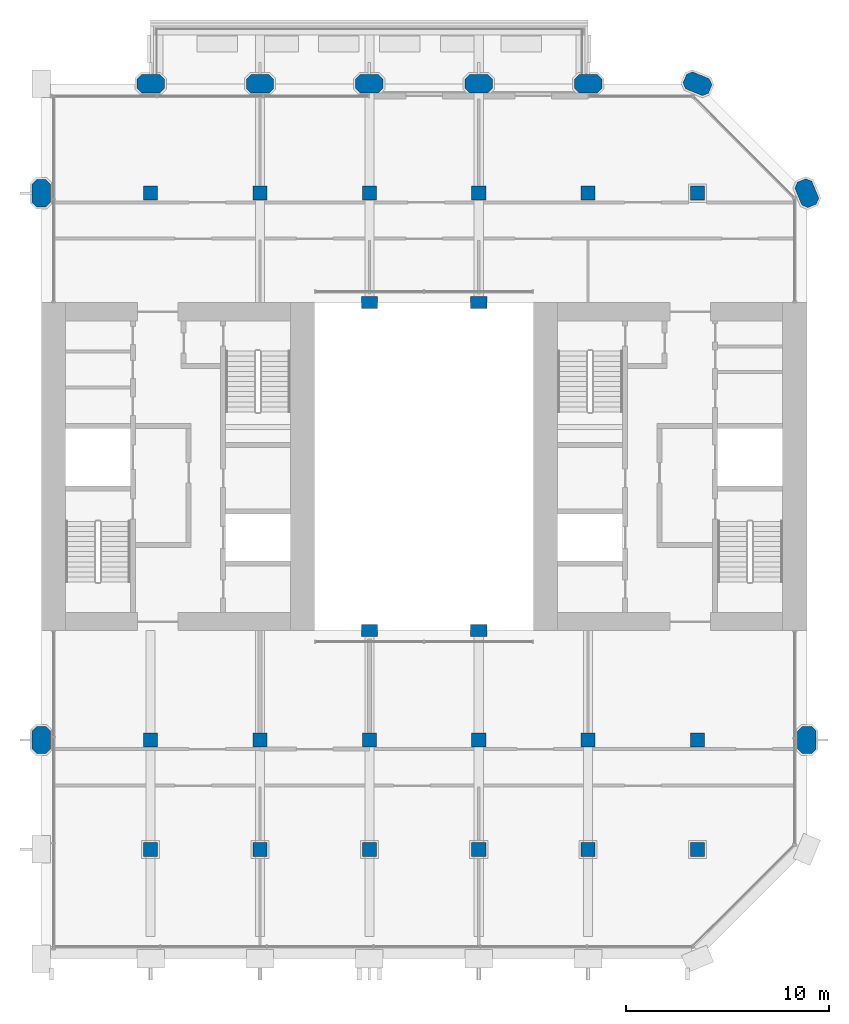
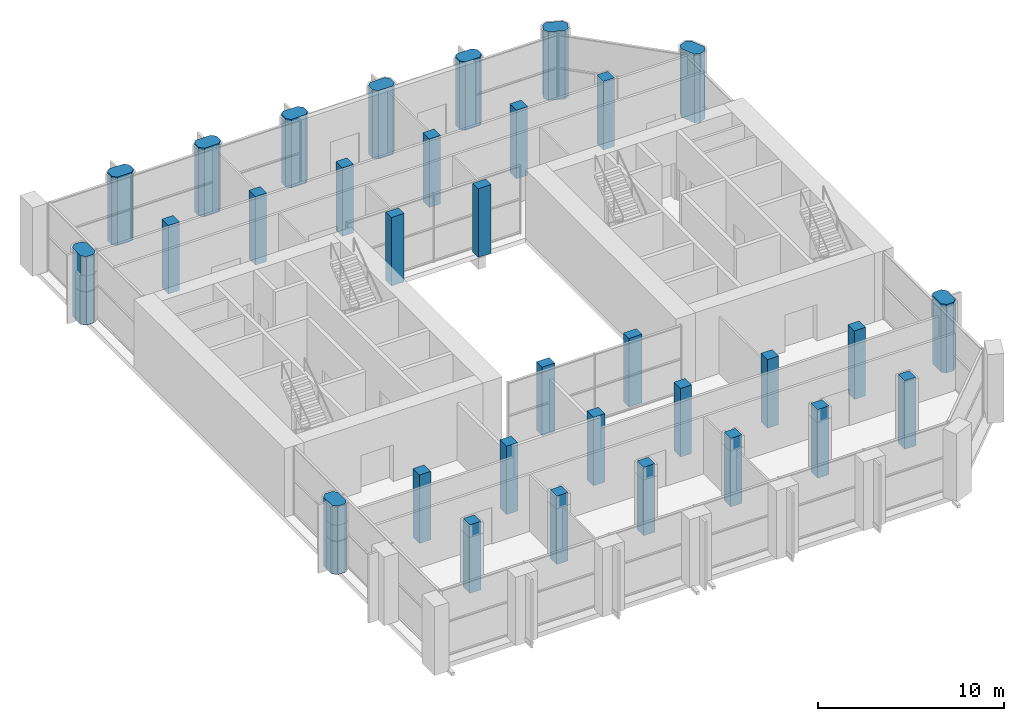
# One storey, part 1 of 13: 32 columns.
"""IFC4 building model written with IfcOpenShell, lengths in metres."""

from ifc_helpers import new_model, si_unit, direction, frame, origin, origin_2d, place, context, subcontext, project, spatial, polyline, rectangle, outline, extrude, material, material_profile, profile_set, type_object, element, save


model = new_model("IFC4")

# Units and contexts
model_context = context("Model", 3, precision=1e-05, world=origin(), true_north=direction((0.0, 1.0)))
body_context = subcontext(model_context, "Body", "Model", "MODEL_VIEW")
ifc_project = project(units=[si_unit("LENGTHUNIT", "METRE"), si_unit("AREAUNIT", "SQUARE_METRE"), si_unit("VOLUMEUNIT", "CUBIC_METRE"), si_unit("PLANEANGLEUNIT", "RADIAN"), si_unit("MASSUNIT", "GRAM", prefix="KILO")], contexts=[model_context])

# Site, building, storey
site_placement = place(None, origin())
site = spatial("IfcSite", under=ifc_project, at=site_placement, CompositionType="ELEMENT")
building_placement = place(site_placement, origin())
building = spatial("IfcBuilding", under=site, at=building_placement, Name="Tabaq Tower and Sports Hall", CompositionType="ELEMENT")
storey_placement = place(building_placement, frame((0.0, 0.0, 255.699951171875)))
storey = spatial("IfcBuildingStorey", under=building, at=storey_placement, Name="L62", CompositionType="ELEMENT", Elevation=255.699951171875)

# Columns
ifc_material_1 = material(Name="Concrete C40/50", Category="concrete")
ifc_material_profile_1 = material_profile(ifc_material_1, rectangle(XDim=0.800048828125, YDim=0.60009765625, at=origin_2d()), Name="ATRIUM COLUMN 800x600")
ifc_profile_set_1 = profile_set([ifc_material_profile_1], Name="Concrete C40/50")
column_type_1 = type_object("IfcColumnType", Name="RC COLUMN ATRIUM COLUMN 800x600 C40/50", PredefinedType="COLUMN", material=ifc_profile_set_1)
for number, where, z_axis, x_axis, name in (
    (1, (21.60009765625, 16.199951171875, 0.0), (0.0, 0.0, 1.0), (1.0, 0.0, 0.0), "Atrium Column 5/D L62"),
    (2, (27.0, 16.199951171875, 0.0), (0.0, 0.0, 1.0), (1.0, 0.0, 0.0), "Atrium Column 6/D L62"),
    (3, (21.60009765625, 32.39990234375, 0.0), (0.0, 0.0, 1.0), (1.0, 0.0, 0.0), "Atrium Column 5/G L62"),
    (4, (27.0, 32.39990234375, 0.0), (0.0, 0.0, 1.0), (1.0, 0.0, 0.0), "Atrium Column 6/G L62"),
):
    element("IfcColumn", number, at=place(storey_placement, frame(where, z_axis=z_axis, x_axis=x_axis)), inside=storey, type_object=column_type_1, Name=name, PredefinedType="COLUMN", context=body_context, shape_type="SweptSolid", body=[
        extrude(rectangle(XDim=0.800048828125, YDim=0.60009765625, at=origin_2d()), origin(), (0.0, 0.0, 1.0), 4.5),
    ])
ifc_material_2 = material(Name="Concrete C40/50", Category="concrete")
ifc_material_profile_2 = material_profile(ifc_material_2, rectangle(XDim=0.699951171875, YDim=0.699951171875, at=origin_2d()), Name="COLUMN 700x700")
ifc_profile_set_2 = profile_set([ifc_material_profile_2], Name="Concrete C40/50")
column_type_2 = type_object("IfcColumnType", Name="RC COLUMN COLUMN 700x700 C40/50", PredefinedType="COLUMN", material=ifc_profile_set_2)
for number, where, z_axis, x_axis, name in (
    (5, (10.800048828125, 5.39990234375, 0.0), (0.0, 0.0, 1.0), (1.0, 0.0, 0.0), "Column 3/B L62"),
    (6, (16.199951171875, 5.39990234375, 0.0), (0.0, 0.0, 1.0), (1.0, 0.0, 0.0), "Column 4/B L62"),
    (7, (21.60009765625, 5.39990234375, 0.0), (0.0, 0.0, 1.0), (1.0, 0.0, 0.0), "Column 5/B L62"),
    (8, (27.0, 5.39990234375, 0.0), (0.0, 0.0, 1.0), (1.0, 0.0, 0.0), "Column 6/B L62"),
    (9, (32.39990234375, 5.39990234375, 0.0), (0.0, 0.0, 1.0), (1.0, 0.0, 0.0), "Column 7/B L62"),
    (10, (37.800048828125, 5.39990234375, 0.0), (0.0, 0.0, 1.0), (1.0, 0.0, 0.0), "Column 8/B L62"),
    (11, (10.800048828125, 10.800048828125, 0.0), (0.0, 0.0, 1.0), (1.0, 0.0, 0.0), "Column 3/C L62"),
    (12, (16.199951171875, 10.800048828125, 0.0), (0.0, 0.0, 1.0), (1.0, 0.0, 0.0), "Column 4/C L62"),
    (13, (21.60009765625, 10.800048828125, 0.0), (0.0, 0.0, 1.0), (1.0, 0.0, 0.0), "Column 5/C L62"),
    (14, (27.0, 10.800048828125, 0.0), (0.0, 0.0, 1.0), (1.0, 0.0, 0.0), "Column 6/C L62"),
    (15, (32.39990234375, 10.800048828125, 0.0), (0.0, 0.0, 1.0), (1.0, 0.0, 0.0), "Column 7/C L62"),
    (16, (37.800048828125, 10.800048828125, 0.0), (0.0, 0.0, 1.0), (1.0, 0.0, 0.0), "Column 8/C L62"),
    (17, (10.800048828125, 37.800048828125, 0.0), (0.0, 0.0, 1.0), (1.0, 0.0, 0.0), "Column 3/H L62"),
    (18, (16.199951171875, 37.800048828125, 0.0), (0.0, 0.0, 1.0), (1.0, 0.0, 0.0), "Column 4/H L62"),
    (19, (21.60009765625, 37.800048828125, 0.0), (0.0, 0.0, 1.0), (1.0, 0.0, 0.0), "Column 5/H L62"),
    (20, (27.0, 37.800048828125, 0.0), (0.0, 0.0, 1.0), (1.0, 0.0, 0.0), "Column 6/H L62"),
    (21, (32.39990234375, 37.800048828125, 0.0), (0.0, 0.0, 1.0), (1.0, 0.0, 0.0), "Column 7/H L62"),
    (22, (37.800048828125, 37.800048828125, 0.0), (0.0, 0.0, 1.0), (1.0, 0.0, 0.0), "Column 8/H L62"),
):
    element("IfcColumn", number, at=place(storey_placement, frame(where, z_axis=z_axis, x_axis=x_axis)), inside=storey, type_object=column_type_2, Name=name, PredefinedType="COLUMN", context=body_context, shape_type="SweptSolid", body=[
        extrude(rectangle(XDim=0.699951171875, YDim=0.699951171875, at=origin_2d()), origin(), (0.0, 0.0, 1.0), 4.5),
    ])
ifc_material_3 = material(Name="Concrete C40/50", Category="concrete")
ifc_material_profile_3 = material_profile(ifc_material_3, outline(polyline([(-0.449951171875, -0.449951171875), (0.449951171875, -0.449951171875), (0.675048828125, -0.22509765625), (0.675048828125, 0.22509765625), (0.449951171875, 0.449951171875), (-0.449951171875, 0.449951171875), (-0.675048828125, 0.22509765625), (-0.675048828125, -0.22509765625), (-0.449951171875, -0.449951171875)])), Name="PIER 1350x900")
ifc_profile_set_3 = profile_set([ifc_material_profile_3], Name="Concrete C40/50")
column_type_3 = type_object("IfcColumnType", Name="RC COLUMN PIER 1350x900 C40/50", PredefinedType="COLUMN", material=ifc_profile_set_3)
for number, where, z_axis, x_axis, name in (
    (23, (5.39990234375, 10.800048828125, 0.0), (0.0, 0.0, 1.0), (0.0, 1.0, 0.0), "Pier 2/C L62"),
    (24, (43.199951171875, 10.800048828125, 0.0), (0.0, 0.0, 1.0), (0.0, 1.0, 0.0), "Pier 9/C L62"),
    (25, (5.39990234375, 37.800048828125, 0.0), (0.0, 0.0, 1.0), (0.0, 1.0, 0.0), "Pier 2/H L62"),
    (26, (43.199951171875, 37.800048828125, 0.0), (0.0, 0.0, 1.0), (-0.382683432365, 0.923879532511, 0.0), "Pier 9/H L62"),
    (27, (10.800048828125, 43.199951171875, 0.0), (0.0, 0.0, 1.0), (1.0, 0.0, 0.0), "Pier 3/I L62"),
    (28, (16.199951171875, 43.199951171875, 0.0), (0.0, 0.0, 1.0), (1.0, 0.0, 0.0), "Pier 4/I L62"),
    (29, (21.60009765625, 43.199951171875, 0.0), (0.0, 0.0, 1.0), (1.0, 0.0, 0.0), "Pier 5/I L62"),
    (30, (27.0, 43.199951171875, 0.0), (0.0, 0.0, 1.0), (1.0, 0.0, 0.0), "Pier 6/I L62"),
    (31, (32.39990234375, 43.199951171875, 0.0), (0.0, 0.0, 1.0), (1.0, 0.0, 0.0), "Pier 7/I L62"),
    (32, (37.800048828125, 43.199951171875, 0.0), (0.0, 0.0, 1.0), (-0.923879532511, 0.382683432365, 0.0), "Pier 8/I L62"),
):
    element("IfcColumn", number, at=place(storey_placement, frame(where, z_axis=z_axis, x_axis=x_axis)), inside=storey, type_object=column_type_3, Name=name, PredefinedType="COLUMN", context=body_context, shape_type="SweptSolid", body=[
        extrude(outline(polyline([(-0.449951171875, -0.449951171875), (0.449951171875, -0.449951171875), (0.675048828125, -0.22509765625), (0.675048828125, 0.22509765625), (0.449951171875, 0.449951171875), (-0.449951171875, 0.449951171875), (-0.675048828125, 0.22509765625), (-0.675048828125, -0.22509765625), (-0.449951171875, -0.449951171875)])), origin(), (0.0, 0.0, 1.0), 4.5),
    ])

save(model, "model.ifc")
